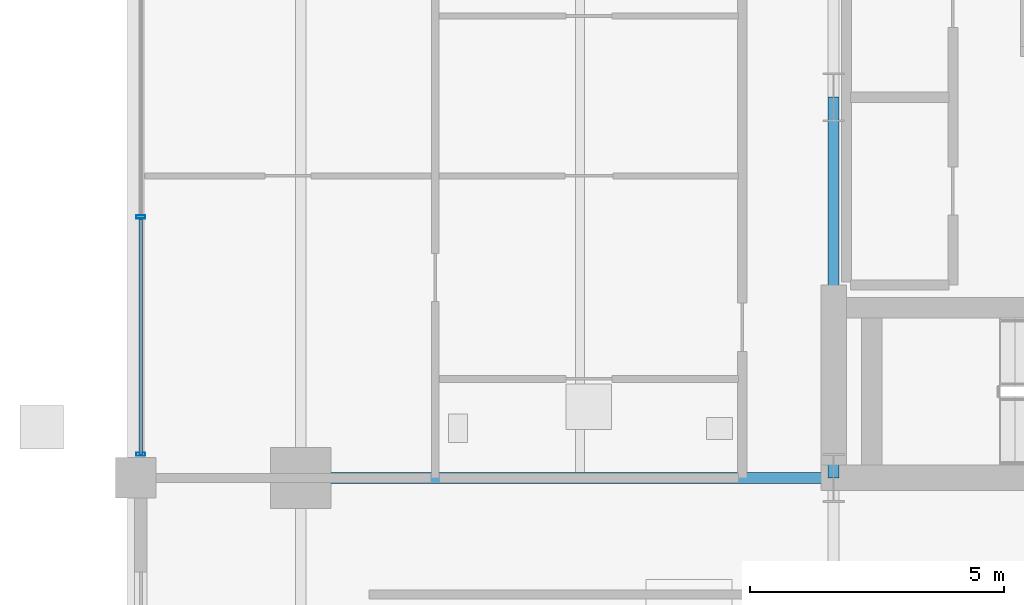
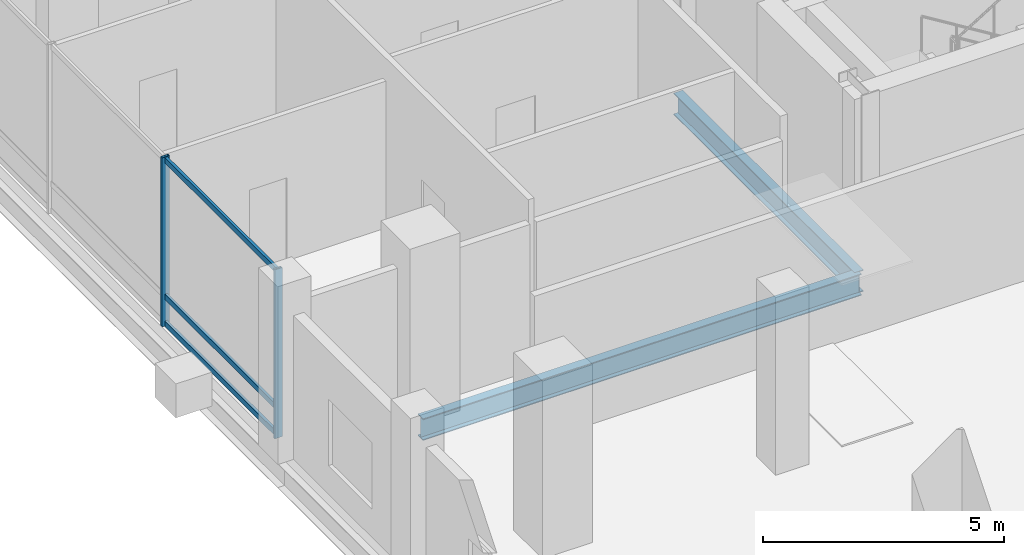
# One storey, part 4 of 19: 5 members, 2 beams, 1 element without a shape of its own.
"""IFC4 building model written with IfcOpenShell, lengths in metres."""

import ifcopenshell
import ifcopenshell.guid

model = None  # the IFC model being written
_history = None  # IfcOwnerHistory: only IFC2X3 demands one
_inside = {}  # id of a spatial element -> (the spatial element, [elements in it])
_under = {}  # id of a project, library or spatial element -> (it, [spatial elements below it])
_declared = {}  # id of a project -> (the project, [libraries it declares])
_typed = {}  # id of a type object -> (the type object, [elements of that type])
_made_of = {}  # id of a material, layer set ... -> (it, [elements and type objects made of it])


def new_model(schema):
    """Start an empty IFC model of exactly this schema.

    Asked for "IFC4X3", IfcOpenShell would pick the latest addendum, in which some entities
    have other attributes; the version numbers below select the first issue.
    IFC2X3 requires an IfcOwnerHistory on every rooted entity: one is made here for all.
    """
    global model, _history
    if schema == "IFC4X3":
        model = ifcopenshell.file(schema_version=(4, 3, 0, 0))
    else:
        model = ifcopenshell.file(schema=schema)
    _inside.clear()
    _under.clear()
    _declared.clear()
    _typed.clear()
    _made_of.clear()
    _history = None
    if model.schema == "IFC2X3":
        org = make("IfcOrganization", Name="unknown")
        user = make(
            "IfcPersonAndOrganization",
            ThePerson=make("IfcPerson", FamilyName="unknown"),
            TheOrganization=org,
        )
        app = make(
            "IfcApplication",
            ApplicationDeveloper=org,
            Version="unknown",
            ApplicationFullName="unknown",
            ApplicationIdentifier="unknown",
        )
        _history = make(
            "IfcOwnerHistory",
            OwningUser=user,
            OwningApplication=app,
            ChangeAction="ADDED",
            CreationDate=0,
        )
    return model


def make(cls, **values):
    """One entity of the class cls with the attributes given. An attribute that is None is left unset."""
    return model.create_entity(
        cls, **{name: value for name, value in values.items() if value is not None}
    )


def rooted(cls, **values):
    """An entity with a GlobalId (a new one), such as an element, a storey or a relation."""
    return make(cls, GlobalId=ifcopenshell.guid.new(), OwnerHistory=_history, **values)


def si_unit(unit_type, name, prefix=None):
    """IfcSIUnit, for example si_unit("LENGTHUNIT", "METRE", prefix="MILLI")."""
    return make("IfcSIUnit", UnitType=unit_type, Prefix=prefix, Name=name)


def assignment(units):
    """IfcUnitAssignment: the units of a project."""
    return None if units is None else make("IfcUnitAssignment", Units=units)


def point(xyz):
    """IfcCartesianPoint."""
    return None if xyz is None else make("IfcCartesianPoint", Coordinates=xyz)


def direction(xyz):
    """IfcDirection."""
    return None if xyz is None else make("IfcDirection", DirectionRatios=xyz)


def frame(location, z_axis=None, x_axis=None):
    """IfcAxis2Placement3D, a coordinate frame: its origin and axes. An axis left out is left unset."""
    return make(
        "IfcAxis2Placement3D",
        Location=point(location),
        Axis=direction(z_axis),
        RefDirection=direction(x_axis),
    )


def frame_2d(location, x_axis=None):
    """IfcAxis2Placement2D, a coordinate frame in the plane: its origin and x axis."""
    return make(
        "IfcAxis2Placement2D", Location=point(location), RefDirection=direction(x_axis)
    )


def origin():
    """The frame at (0, 0, 0) with its axes left unset."""
    return frame((0.0, 0.0, 0.0))


def origin_2d():
    """The frame at (0, 0) in the plane with its x axis left unset."""
    return frame_2d((0.0, 0.0))


def place(relative_to, where):
    """IfcLocalPlacement: puts the frame where relative to a parent placement (None: the world)."""
    return make(
        "IfcLocalPlacement", PlacementRelTo=relative_to, RelativePlacement=where
    )


def context(
    kind, dimensions, precision=None, world=None, true_north=None, identifier=None
):
    """IfcGeometricRepresentationContext, for example the 3D "Model" context."""
    return make(
        "IfcGeometricRepresentationContext",
        ContextIdentifier=identifier,
        ContextType=kind,
        CoordinateSpaceDimension=dimensions,
        Precision=precision,
        WorldCoordinateSystem=world,
        TrueNorth=true_north,
    )


def subcontext(parent, identifier, kind, view, scale=None):
    """IfcGeometricRepresentationSubContext, for example "Body" below "Model"."""
    return make(
        "IfcGeometricRepresentationSubContext",
        ContextIdentifier=identifier,
        ContextType=kind,
        ParentContext=parent,
        TargetScale=scale,
        TargetView=view,
    )


def project(units=None, contexts=None):
    """IfcProject with its units and contexts."""
    return rooted(
        "IfcProject",
        Name="project",
        RepresentationContexts=contexts,
        UnitsInContext=assignment(units),
    )


def spatial(cls, under=None, at=None, **own):
    """A site, building, storey or space (cls), placed at a placement, below another one or the project."""
    s = rooted(cls, ObjectPlacement=at, **own)
    if under is not None:
        _under.setdefault(under.id(), (under, []))[1].append(s)
    return s


def profile(cls, at=None, kind="AREA", **sizes):
    """A parametric profile (cls). Its sizes go by their IFC names, for example OverallWidth=200.0."""
    return make(cls, ProfileType=kind, Position=at, **sizes)


def hollow_rectangle(**sizes):
    """IfcRectangleHollowProfileDef."""
    return profile("IfcRectangleHollowProfileDef", **sizes)


def i_section(**sizes):
    """IfcIShapeProfileDef."""
    return profile("IfcIShapeProfileDef", **sizes)


def extrude(swept, where, along, depth):
    """IfcExtrudedAreaSolid: the profile swept, set in the frame where, extruded along a direction by depth."""
    return make(
        "IfcExtrudedAreaSolid",
        SweptArea=swept,
        Position=where,
        ExtrudedDirection=direction(along),
        Depth=depth,
    )


def shape(context_of_items, identifier, shape_type, items):
    """IfcShapeRepresentation: the items that make up one representation, for example the "Body"."""
    return make(
        "IfcShapeRepresentation",
        ContextOfItems=context_of_items,
        RepresentationIdentifier=identifier,
        RepresentationType=shape_type,
        Items=items,
    )


def material(Name=None, Category=None):
    """IfcMaterial."""
    return make("IfcMaterial", Name=Name, Category=Category)


def layer(
    of_material, thickness, ventilated=None, Name=None, Category=None, Priority=None
):
    """IfcMaterialLayer: one layer of a wall or slab, of a material (None: an air gap)."""
    return make(
        "IfcMaterialLayer",
        Material=of_material,
        LayerThickness=thickness,
        IsVentilated=ventilated,
        Name=Name,
        Category=Category,
        Priority=Priority,
    )


def layer_set(layers, Name=None):
    """IfcMaterialLayerSet."""
    return make("IfcMaterialLayerSet", MaterialLayers=layers, LayerSetName=Name)


def material_profile(
    of_material, cross_section, Name=None, Category=None, Priority=None
):
    """IfcMaterialProfile: a cross section and its material."""
    return make(
        "IfcMaterialProfile",
        Name=Name,
        Material=of_material,
        Profile=cross_section,
        Priority=Priority,
        Category=Category,
    )


def profile_set(profiles, Name=None, composite=None):
    """IfcMaterialProfileSet."""
    return make(
        "IfcMaterialProfileSet",
        Name=Name,
        MaterialProfiles=profiles,
        CompositeProfile=composite,
    )


def made_of(thing, what):
    """Note that an element or type object is made of a material, layer set ...; save() writes the relation."""
    if what is not None:
        _made_of.setdefault(what.id(), (what, []))[1].append(thing)
    return thing


def type_object(cls, material=None, **own):
    """A type object (cls), such as IfcWallType, which elements share."""
    return made_of(rooted(cls, **own), material)


def element(
    cls,
    number,
    at=None,
    inside=None,
    cuts=None,
    type_object=None,
    material=None,
    context=None,
    identifier="Body",
    shape_type=None,
    held_by="IfcProductDefinitionShape",
    body=None,
    shapes=None,
    **own,
):
    """One element of the class cls, such as IfcWall. Its Tag is "e" and its number.

    at: its placement. inside: the storey or other place that contains it. cuts: it is an
    opening in that element (IfcRelVoidsElement). A single representation is given by context,
    identifier, shape_type and body (its items); several are given by shapes. held_by: the class
    of the entity that holds the representations. save() writes the other relations.
    """
    e = rooted(cls, Tag="e%d" % number, ObjectPlacement=at, **own)
    if body is not None:
        shapes = [shape(context, identifier, shape_type, body)]
    if shapes is not None:
        e.Representation = make(held_by, Representations=shapes)
    if inside is not None:
        _inside.setdefault(inside.id(), (inside, []))[1].append(e)
    if cuts is not None:
        rooted(
            "IfcRelVoidsElement", RelatingBuildingElement=cuts, RelatedOpeningElement=e
        )
    if type_object is not None:
        _typed.setdefault(type_object.id(), (type_object, []))[1].append(e)
    return made_of(e, material)


def aggregate(whole, parts):
    """IfcRelAggregates: a whole, such as a stair, and the parts it consists of."""
    return rooted("IfcRelAggregates", RelatingObject=whole, RelatedObjects=parts)


def save(model, path):
    """Write the relations noted so far, then the file.

    IfcRelAggregates (storeys below a building ...), IfcRelContainedInSpatialStructure (elements
    in a storey), IfcRelDefinesByType, IfcRelAssociatesMaterial and IfcRelDeclares: one each for
    every whole, place, type object, material and project.
    """
    for whole, parts in _under.values():
        aggregate(whole, parts)
    for where, things in _inside.values():
        rooted(
            "IfcRelContainedInSpatialStructure",
            RelatedElements=things,
            RelatingStructure=where,
        )
    for kind, things in _typed.values():
        rooted("IfcRelDefinesByType", RelatedObjects=things, RelatingType=kind)
    for what, things in _made_of.values():
        rooted("IfcRelAssociatesMaterial", RelatedObjects=things, RelatingMaterial=what)
    for by, libraries in _declared.values():
        rooted("IfcRelDeclares", RelatingContext=by, RelatedDefinitions=libraries)
    model.write(path)


model = new_model("IFC4")

# Units and contexts
model_context = context("Model", 3, precision=1e-05, world=origin(), true_north=direction((0.0, 1.0)))
body_context = subcontext(model_context, "Body", "Model", "MODEL_VIEW")
ifc_project = project(units=[si_unit("LENGTHUNIT", "METRE"), si_unit("AREAUNIT", "SQUARE_METRE"), si_unit("VOLUMEUNIT", "CUBIC_METRE"), si_unit("PLANEANGLEUNIT", "RADIAN"), si_unit("MASSUNIT", "GRAM", prefix="KILO")], contexts=[model_context])

# Site, building, storey
site_placement = place(None, origin())
site = spatial("IfcSite", under=ifc_project, at=site_placement, CompositionType="ELEMENT")
building_placement = place(site_placement, origin())
building = spatial("IfcBuilding", under=site, at=building_placement, Name="Barlavira Tower and Art Museum", CompositionType="ELEMENT")
storey_placement = place(building_placement, frame((0.0, 0.0, 125.10009765625)))
storey = spatial("IfcBuildingStorey", under=building, at=storey_placement, Name="L31", CompositionType="ELEMENT", Elevation=125.10009765625)

# Curtain wall, members
ifc_material_1 = material(Name="Low-iron coastal laminated glass", Category="glass")
ifc_layer = layer(ifc_material_1, 0.18994140625, Name="Low-iron coastal laminated glass")
ifc_layer_set = layer_set([ifc_layer], Name="Low-iron coastal laminated glass")
curtain_wall_type = type_object("IfcCurtainWallType", Name="Pale-Metal Unitised Curtain Wall Zone 2", PredefinedType="NOTDEFINED", material=ifc_layer_set)
curtain_wall_placement = place(storey_placement, origin())
curtain_wall = element("IfcCurtainWall", 1, at=curtain_wall_placement, inside=storey, type_object=curtain_wall_type, Name="L31 Curtain Wall CW2-L31-W-B3", PredefinedType="NOTDEFINED")
ifc_material_2 = material(Name="Pale anodised aluminium", Category="aluminium")
ifc_material_profile_1 = material_profile(ifc_material_2, hollow_rectangle(XDim=0.06494140625, YDim=0.179931640625, WallThickness=0.00390625, at=origin_2d()), Name="ALU-MULL 65x180x4")
ifc_profile_set_1 = profile_set([ifc_material_profile_1], Name="Pale anodised aluminium")
member_type_1 = type_object("IfcMemberType", Name="Curtain Wall Pale-Metal Mullion 65x180", PredefinedType="MULLION", material=ifc_profile_set_1)
member_1_placement = place(storey_placement, frame((-20.14990234375, -2.360107421875, 0.0), z_axis=(0.0, 0.0, 1.0), x_axis=(0.0, -1.0, 0.0)))
member_1 = element("IfcMember", 2, at=member_1_placement, type_object=member_type_1, Name="CW2-L31-W-B3 Mullion 2", PredefinedType="MULLION", context=body_context, shape_type="SweptSolid", body=[
    extrude(hollow_rectangle(XDim=0.06494140625, YDim=0.179931640625, WallThickness=0.00390625, at=origin_2d()), origin(), (0.0, 0.0, 1.0), 4.27978515625),
])
member_2_placement = place(storey_placement, frame((-20.14990234375, -7.034912109375, 0.0), z_axis=(0.0, 0.0, 1.0), x_axis=(0.0, -1.0, 0.0)))
member_2 = element("IfcMember", 3, at=member_2_placement, type_object=member_type_1, Name="CW2-L31-W-B3 Mullion 3", PredefinedType="MULLION", context=body_context, shape_type="SweptSolid", body=[
    extrude(hollow_rectangle(XDim=0.06494140625, YDim=0.179931640625, WallThickness=0.00390625, at=origin_2d()), origin(), (0.0, 0.0, 1.0), 4.27978515625),
])
ifc_material_profile_2 = material_profile(ifc_material_2, hollow_rectangle(XDim=0.06494140625, YDim=0.139892578125, WallThickness=0.00390625, at=origin_2d()), Name="ALU-TRAN 65x140x4")
ifc_profile_set_2 = profile_set([ifc_material_profile_2], Name="Pale anodised aluminium")
member_type_2 = type_object("IfcMemberType", Name="Curtain Wall Pale-Metal Transom 65x140", PredefinedType="USERDEFINED", material=ifc_profile_set_2)
member_3_placement = place(storey_placement, frame((-20.14990234375, -2.405029296875, 0.06982421875), z_axis=(0.0, -1.0, 0.0), x_axis=(1.0, 0.0, 0.0)))
member_3 = element("IfcMember", 4, at=member_3_placement, type_object=member_type_2, Name="CW2-L31-W-B3 Transom 2.1", ObjectType="TRANSOM", PredefinedType="USERDEFINED", context=body_context, shape_type="SweptSolid", body=[
    extrude(hollow_rectangle(XDim=0.06494140625, YDim=0.139892578125, WallThickness=0.00390625, at=origin_2d()), origin(), (0.0, 0.0, 1.0), 4.6298828125),
])
member_4_placement = place(storey_placement, frame((-20.14990234375, -2.405029296875, 0.75), z_axis=(0.0, -1.0, 0.0), x_axis=(1.0, 0.0, 0.0)))
member_4 = element("IfcMember", 5, at=member_4_placement, type_object=member_type_2, Name="CW2-L31-W-B3 Transom 2.2", ObjectType="TRANSOM", PredefinedType="USERDEFINED", context=body_context, shape_type="SweptSolid", body=[
    extrude(hollow_rectangle(XDim=0.06494140625, YDim=0.139892578125, WallThickness=0.00390625, at=origin_2d()), origin(), (0.0, 0.0, 1.0), 4.6298828125),
])
member_5_placement = place(storey_placement, frame((-20.14990234375, -2.405029296875, 4.2099609375), z_axis=(0.0, -1.0, 0.0), x_axis=(1.0, 0.0, 0.0)))
member_5 = element("IfcMember", 6, at=member_5_placement, type_object=member_type_2, Name="CW2-L31-W-B3 Transom 2.3", ObjectType="TRANSOM", PredefinedType="USERDEFINED", context=body_context, shape_type="SweptSolid", body=[
    extrude(hollow_rectangle(XDim=0.06494140625, YDim=0.139892578125, WallThickness=0.00390625, at=origin_2d()), origin(), (0.0, 0.0, 1.0), 4.6298828125),
])
aggregate(curtain_wall, [member_1, member_2, member_3, member_4, member_5])

# Beams
ifc_material_3 = material(Name="Steel S355", Category="steel")
ifc_material_profile_3 = material_profile(ifc_material_3, i_section(OverallWidth=0.214111328125, OverallDepth=0.549072265625, WebThickness=0.0146484375, FlangeThickness=0.023681640625, at=origin_2d()), Name="W530x138.0")
ifc_profile_set_3 = profile_set([ifc_material_profile_3], Name="Steel S355")
beam_type = type_object("IfcBeamType", Name="Zone 1 Primary Floor Girder W530x138 Steel S355", PredefinedType="BEAM", material=ifc_profile_set_3)
beam_1_placement = place(storey_placement, frame((-6.5, -7.5, -0.57470703125), z_axis=(0.0, 1.0, 0.0), x_axis=(-1.0, 0.0, 0.0)))
element("IfcBeam", 7, at=beam_1_placement, inside=storey, type_object=beam_type, Name="L31 Girder C-W1", PredefinedType="BEAM", context=body_context, shape_type="SweptSolid", body=[
    extrude(i_section(OverallWidth=0.214111328125, OverallDepth=0.549072265625, WebThickness=0.0146484375, FlangeThickness=0.023681640625, at=origin_2d()), origin(), (0.0, 0.0, 1.0), 7.5),
])
beam_2_placement = place(storey_placement, frame((-17.0, -7.5, -0.57470703125), z_axis=(1.0, 0.0, 0.0), x_axis=(0.0, 1.0, 0.0)))
element("IfcBeam", 8, at=beam_2_placement, inside=storey, type_object=beam_type, Name="L31 Girder R-W1", PredefinedType="BEAM", context=body_context, shape_type="SweptSolid", body=[
    extrude(i_section(OverallWidth=0.214111328125, OverallDepth=0.549072265625, WebThickness=0.0146484375, FlangeThickness=0.023681640625, at=origin_2d()), origin(), (0.0, 0.0, 1.0), 10.5),
])

save(model, "model.ifc")
